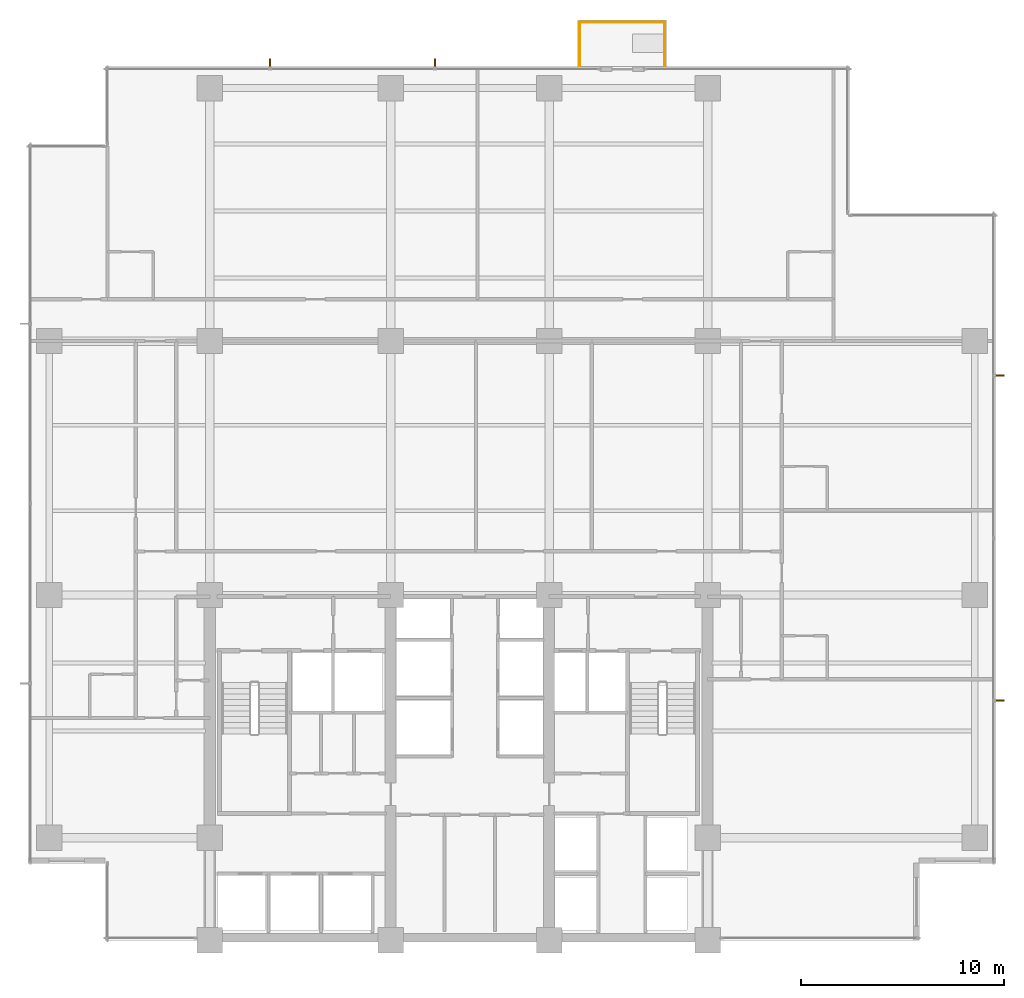
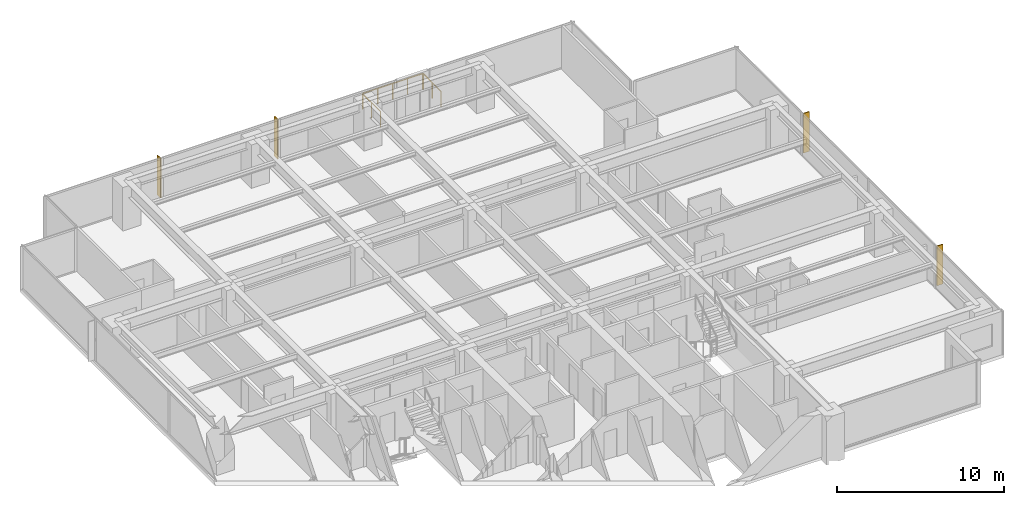
# One storey, part 16 of 16: 4 shading devices, 3 railings.
"""IFC4 building model written with IfcOpenShell, lengths in metres."""

from ifc_helpers import new_model, si_unit, direction, frame, origin, origin_2d, place, context, subcontext, project, spatial, polyline, circle, outline, extrude, material, layer, layer_set, type_object, element, save


model = new_model("IFC4")

# Units and contexts
model_context = context("Model", 3, precision=1e-05, world=origin(), true_north=direction((0.0, 1.0)))
body_context = subcontext(model_context, "Body", "Model", "MODEL_VIEW")
ifc_project = project(units=[si_unit("LENGTHUNIT", "METRE"), si_unit("AREAUNIT", "SQUARE_METRE"), si_unit("VOLUMEUNIT", "CUBIC_METRE"), si_unit("PLANEANGLEUNIT", "RADIAN"), si_unit("MASSUNIT", "GRAM", prefix="KILO")], contexts=[model_context])

# Site, building, storey
site_placement = place(None, origin())
site = spatial("IfcSite", under=ifc_project, at=site_placement, CompositionType="ELEMENT")
building_placement = place(site_placement, origin())
building = spatial("IfcBuilding", under=site, at=building_placement, Name="Qalmaran Belvedere Hotel", CompositionType="ELEMENT")
storey_placement = place(building_placement, frame((0.0, 0.0, 126.699951171875)))
storey = spatial("IfcBuildingStorey", under=building, at=storey_placement, Name="L32", CompositionType="ELEMENT", Elevation=126.699951171875)

# Shading devices
ifc_material = material(Name="Anodised Bronze Aluminium", Category="aluminium")
ifc_layer = layer(ifc_material, 0.06494140625, Name="Anodised Bronze Aluminium")
ifc_layer_set = layer_set([ifc_layer], Name="Anodised Bronze Aluminium")
shading_device_type = type_object("IfcShadingDeviceType", Name="FIN-BRNZ-420", PredefinedType="USERDEFINED", material=ifc_layer_set)
shading_device_1_placement = place(storey_placement, frame((0.0, 0.0, 0.16015625)))
element("IfcShadingDevice", 1, at=shading_device_1_placement, inside=storey, type_object=shading_device_type, Name="L32 Bronze Fin 1", ObjectType="FIN", PredefinedType="USERDEFINED", context=body_context, shape_type="SweptSolid", body=[
    extrude(outline(polyline([(58.969970703125, 15.267578125), (59.389892578125, 15.267578125), (59.389892578125, 15.33251953125), (58.969970703125, 15.33251953125), (58.969970703125, 15.267578125)])), origin(), (0.0, 0.0, 1.0), 2.89990234375),
])
shading_device_2_placement = place(storey_placement, frame((0.0, 0.0, 0.16015625)))
element("IfcShadingDevice", 2, at=shading_device_2_placement, inside=storey, type_object=shading_device_type, Name="L32 Bronze Fin 3", ObjectType="FIN", PredefinedType="USERDEFINED", context=body_context, shape_type="SweptSolid", body=[
    extrude(outline(polyline([(58.969970703125, 31.267578125), (59.389892578125, 31.267578125), (59.389892578125, 31.33251953125), (58.969970703125, 31.33251953125), (58.969970703125, 31.267578125)])), origin(), (0.0, 0.0, 1.0), 2.89990234375),
])
shading_device_3_placement = place(storey_placement, frame((0.0, 0.0, 0.16015625)))
element("IfcShadingDevice", 3, at=shading_device_3_placement, inside=storey, type_object=shading_device_type, Name="L32 Bronze Fin 1", ObjectType="FIN", PredefinedType="USERDEFINED", context=body_context, shape_type="SweptSolid", body=[
    extrude(outline(polyline([(31.415771484375, 46.469970703125), (31.415771484375, 46.889892578125), (31.350830078125, 46.889892578125), (31.350830078125, 46.469970703125), (31.415771484375, 46.469970703125)])), origin(), (0.0, 0.0, 1.0), 2.89990234375),
])
shading_device_4_placement = place(storey_placement, frame((0.0, 0.0, 0.16015625)))
element("IfcShadingDevice", 4, at=shading_device_4_placement, inside=storey, type_object=shading_device_type, Name="L32 Bronze Fin 2", ObjectType="FIN", PredefinedType="USERDEFINED", context=body_context, shape_type="SweptSolid", body=[
    extrude(outline(polyline([(23.29931640625, 46.469970703125), (23.29931640625, 46.889892578125), (23.234130859375, 46.889892578125), (23.234130859375, 46.469970703125), (23.29931640625, 46.469970703125)])), origin(), (0.0, 0.0, 1.0), 2.89990234375),
])

# Railings
railing_type = type_object("IfcRailingType", Name="GRD-BAL-1150", PredefinedType="BALUSTRADE", material=ifc_material)
railing_1_placement = place(storey_placement, frame((38.5, 46.534912109375, 0.0)))
element("IfcRailing", 5, at=railing_1_placement, inside=storey, type_object=railing_type, Name="L32 Guardrail BAL-L32-N-1", PredefinedType="BALUSTRADE", context=body_context, shape_type="SweptSolid", body=[
    extrude(circle(Radius=0.02392578125, at=origin_2d()), frame((0.0, 0.0, 1.1259765625), z_axis=(0.0, 1.0, 0.0), x_axis=(-1.0, 0.0, 0.0)), (0.0, 0.0, 1.0), 2.130126953125),
    extrude(circle(Radius=0.02099609375, at=origin_2d()), origin(), (0.0, 0.0, 1.0), 1.101806640625),
    extrude(circle(Radius=0.02099609375, at=origin_2d()), frame((0.0, 1.06494140625, 0.0)), (0.0, 0.0, 1.0), 1.101806640625),
    extrude(circle(Radius=0.02099609375, at=origin_2d()), frame((0.0, 2.130126953125, 0.0)), (0.0, 0.0, 1.0), 1.101806640625),
])
railing_2_placement = place(storey_placement, frame((38.534912109375, 48.699951171875, 0.0)))
element("IfcRailing", 6, at=railing_2_placement, inside=storey, type_object=railing_type, Name="L32 Guardrail BAL-L32-N-2", PredefinedType="BALUSTRADE", context=body_context, shape_type="SweptSolid", body=[
    extrude(circle(Radius=0.02392578125, at=origin_2d()), frame((0.0, 0.0, 1.1259765625), z_axis=(1.0, 0.0, 0.0), x_axis=(0.0, 1.0, 0.0)), (0.0, 0.0, 1.0), 4.130126953125),
    extrude(circle(Radius=0.02099609375, at=origin_2d()), origin(), (0.0, 0.0, 1.0), 1.101806640625),
    extrude(circle(Radius=0.02099609375, at=origin_2d()), frame((1.032470703125, 0.0, 0.0)), (0.0, 0.0, 1.0), 1.101806640625),
    extrude(circle(Radius=0.02099609375, at=origin_2d()), frame((2.06494140625, 0.0, 0.0)), (0.0, 0.0, 1.0), 1.101806640625),
    extrude(circle(Radius=0.02099609375, at=origin_2d()), frame((3.09765625, 0.0, 0.0)), (0.0, 0.0, 1.0), 1.101806640625),
    extrude(circle(Radius=0.02099609375, at=origin_2d()), frame((4.130126953125, 0.0, 0.0)), (0.0, 0.0, 1.0), 1.101806640625),
])
railing_3_placement = place(storey_placement, frame((42.699951171875, 48.6650390625, 0.0)))
element("IfcRailing", 7, at=railing_3_placement, inside=storey, type_object=railing_type, Name="L32 Guardrail BAL-L32-N-3", PredefinedType="BALUSTRADE", context=body_context, shape_type="SweptSolid", body=[
    extrude(circle(Radius=0.02392578125, at=origin_2d()), frame((0.0, 0.0, 1.1259765625), z_axis=(0.0, -1.0, 0.0), x_axis=(1.0, 0.0, 0.0)), (0.0, 0.0, 1.0), 2.130126953125),
    extrude(circle(Radius=0.02099609375, at=origin_2d()), origin(), (0.0, 0.0, 1.0), 1.101806640625),
    extrude(circle(Radius=0.02099609375, at=origin_2d()), frame((0.0, -1.06494140625, 0.0)), (0.0, 0.0, 1.0), 1.101806640625),
    extrude(circle(Radius=0.02099609375, at=origin_2d()), frame((0.0, -2.130126953125, 0.0)), (0.0, 0.0, 1.0), 1.101806640625),
])

save(model, "model.ifc")
